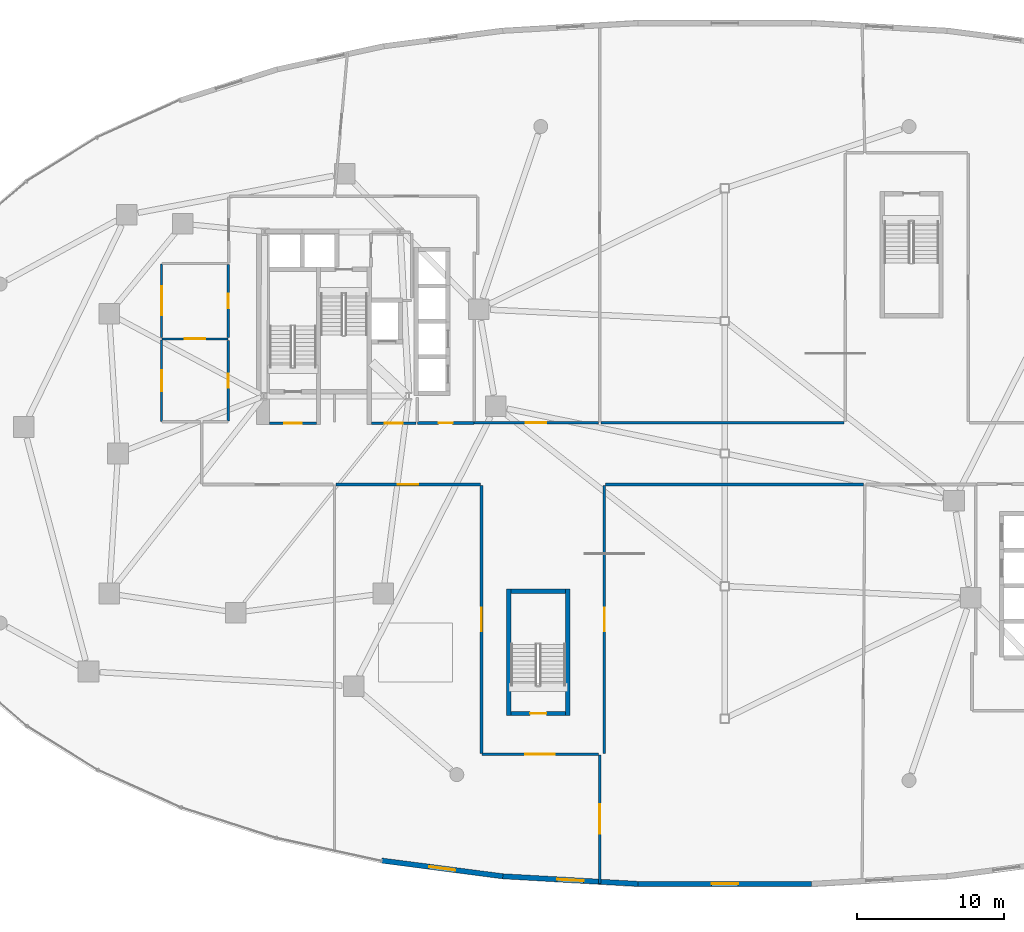
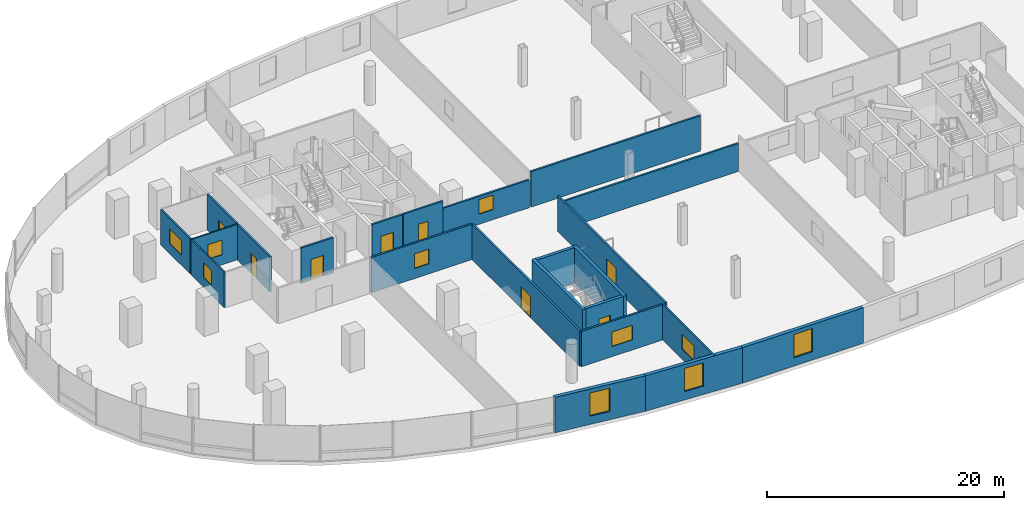
# One storey, part 12 of 18: 23 walls, 10 windows, 8 doors, 18 openings.
"""IFC4 building model written with IfcOpenShell, lengths in metres."""

from ifc_helpers import new_model, si_unit, direction, frame, frame_2d, origin, place, context, subcontext, project, spatial, rectangle, extrude, material, layer, layer_set, type_object, element, fill, save


model = new_model("IFC4")

# Units and contexts
model_context = context("Model", 3, precision=1e-05, world=origin(), true_north=direction((0.0, 1.0)))
body_context = subcontext(model_context, "Body", "Model", "MODEL_VIEW")
ifc_project = project(units=[si_unit("LENGTHUNIT", "METRE"), si_unit("AREAUNIT", "SQUARE_METRE"), si_unit("VOLUMEUNIT", "CUBIC_METRE"), si_unit("PLANEANGLEUNIT", "RADIAN"), si_unit("MASSUNIT", "GRAM", prefix="KILO"), si_unit("THERMODYNAMICTEMPERATUREUNIT", "KELVIN"), si_unit("POWERUNIT", "WATT")], contexts=[model_context])

# Site, building, storey
site_placement = place(None, origin())
site = spatial("IfcSite", under=ifc_project, at=site_placement, CompositionType="ELEMENT")
building_placement = place(site_placement, origin())
building = spatial("IfcBuilding", under=site, at=building_placement, Name="Cundina Bronze Exchange", CompositionType="ELEMENT")
storey_placement = place(building_placement, frame((0.0, 0.0, 12.0)))
storey = spatial("IfcBuildingStorey", under=building, at=storey_placement, Name="L02", CompositionType="ELEMENT", Elevation=12.0)

# Wall, opening, door
ifc_material_1 = material(Name="Gypsum Fireboard Partition EI120")
ifc_layer_1 = layer(ifc_material_1, 0.179931640625, Name="Gypsum Fireboard Partition EI120")
ifc_layer_set_1 = layer_set([ifc_layer_1], Name="Gypsum Fireboard Partition EI120")
wall_type_1 = type_object("IfcWallType", Name="WL-COR-180", PredefinedType="PARTITIONING", material=ifc_layer_set_1)
wall_1_placement = place(storey_placement, frame((-23.97998046875, 2.06005859375, 0.0), z_axis=(0.0, 0.0, 1.0), x_axis=(1.0, 0.0, 0.0)))
wall_1 = element("IfcWall", 1, at=wall_1_placement, inside=storey, type_object=wall_type_1, Name="L02 W Firefighting Lobby Exit Wall", PredefinedType="PARTITIONING", context=body_context, shape_type="SweptSolid", body=[
    extrude(rectangle(XDim=3.0, YDim=0.179931640625, at=frame_2d((1.5, 0.0))), origin(), (0.0, 0.0, 1.0), 3.64990234375),
])
opening_1_placement = place(wall_1_placement, frame((0.89990234375, 0.0, 0.0)))
opening_1 = element("IfcOpeningElement", 2, at=opening_1_placement, cuts=wall_1, Name="Opening DF-01", PredefinedType="OPENING", context=body_context, shape_type="SweptSolid", body=[
    extrude(rectangle(XDim=1.199951171875, YDim=2.14990234375, at=frame_2d((0.60009765625, 1.074951171875))), frame((0.0, 0.099853515625, 0.0), z_axis=(0.0, -1.0, 0.0), x_axis=(1.0, 0.0, 0.0)), (0.0, 0.0, 1.0), 0.199951171875),
])
ifc_material_2 = material(Name="Steel ASTM A36 Painted", Category="steel")
door_type_1 = type_object("IfcDoorType", Name="DR-FFL-1200", OperationType="NOTDEFINED", PredefinedType="DOOR", material=ifc_material_2)
door_1_placement = place(opening_1_placement, origin())
door_1 = element("IfcDoor", 3, at=door_1_placement, inside=storey, type_object=door_type_1, Name="L02 W Firefighting Lobby Door", OperationType="SINGLE_SWING_RIGHT", OverallHeight=2.14990234375, OverallWidth=1.199951171875, PredefinedType="DOOR", context=body_context, shape_type="SweptSolid", body=[
    extrude(rectangle(XDim=1.199951171875, YDim=2.14990234375, at=frame_2d((0.60009765625, 1.074951171875))), frame((0.0, 0.02490234375, 0.0), z_axis=(0.0, -1.0, 0.0), x_axis=(1.0, 0.0, 0.0)), (0.0, 0.0, 1.0), 0.050048828125),
])
fill(opening_1, door_1)

wall_2_placement = place(storey_placement, frame((-30.89990234375, 2.06005859375, 0.0), z_axis=(0.0, 0.0, 1.0), x_axis=(1.0, 0.0, 0.0)))
wall_2 = element("IfcWall", 4, at=wall_2_placement, inside=storey, type_object=wall_type_1, Name="L02 W Stair Vestibule Exit Wall", PredefinedType="PARTITIONING", context=body_context, shape_type="SweptSolid", body=[
    extrude(rectangle(XDim=3.159912109375, YDim=0.179931640625, at=frame_2d((1.580078125, 0.0))), origin(), (0.0, 0.0, 1.0), 3.64990234375),
])
opening_2_placement = place(wall_2_placement, frame((0.97998046875, 0.0, 0.0)))
opening_2 = element("IfcOpeningElement", 5, at=opening_2_placement, cuts=wall_2, Name="Opening DF-01", PredefinedType="OPENING", context=body_context, shape_type="SweptSolid", body=[
    extrude(rectangle(XDim=1.199951171875, YDim=2.14990234375, at=frame_2d((0.60009765625, 1.074951171875))), frame((0.0, 0.099853515625, 0.0), z_axis=(0.0, -1.0, 0.0), x_axis=(1.0, 0.0, 0.0)), (0.0, 0.0, 1.0), 0.199951171875),
])
door_2_placement = place(opening_2_placement, origin())
door_2 = element("IfcDoor", 6, at=door_2_placement, inside=storey, type_object=door_type_1, Name="L02 W Stair Vestibule Door", OperationType="SINGLE_SWING_LEFT", OverallHeight=2.14990234375, OverallWidth=1.199951171875, PredefinedType="DOOR", context=body_context, shape_type="SweptSolid", body=[
    extrude(rectangle(XDim=1.199951171875, YDim=2.14990234375, at=frame_2d((0.60009765625, 1.074951171875))), frame((0.0, 0.02490234375, 0.0), z_axis=(0.0, -1.0, 0.0), x_axis=(1.0, 0.0, 0.0)), (0.0, 0.0, 1.0), 0.050048828125),
])
fill(opening_2, door_2)

wall_3_placement = place(storey_placement, frame((-20.8701171875, 2.070068359375, 0.0), z_axis=(0.0, 0.0, 1.0), x_axis=(1.0, 0.0, 0.0)))
wall_3 = element("IfcWall", 7, at=wall_3_placement, inside=storey, type_object=wall_type_1, Name="L02 Interior Partition 002", PredefinedType="PARTITIONING", context=body_context, shape_type="SweptSolid", body=[
    extrude(rectangle(XDim=3.830078125, YDim=0.179931640625, at=frame_2d((1.9150390625, 0.0))), origin(), (0.0, 0.0, 1.0), 3.64990234375),
])
opening_3_placement = place(wall_3_placement, frame((1.43994140625, 0.0, 0.0)))
opening_3 = element("IfcOpeningElement", 8, at=opening_3_placement, cuts=wall_3, Name="Opening DW-01", PredefinedType="OPENING", context=body_context, shape_type="SweptSolid", body=[
    extrude(rectangle(XDim=0.949951171875, YDim=2.10009765625, at=frame_2d((0.47509765625, 1.050048828125))), frame((0.0, 0.099853515625, 0.0), z_axis=(0.0, -1.0, 0.0), x_axis=(1.0, 0.0, 0.0)), (0.0, 0.0, 1.0), 0.199951171875),
])
ifc_material_3 = material(Name="Solid Andean Oak Timber Grade A", Category="wood")
door_type_2 = type_object("IfcDoorType", Name="DR-WC-950", OperationType="NOTDEFINED", PredefinedType="DOOR", material=ifc_material_3)
door_3_placement = place(opening_3_placement, origin())
door_3 = element("IfcDoor", 9, at=door_3_placement, inside=storey, type_object=door_type_2, Name="L02 Interior Door 002", OperationType="SINGLE_SWING_LEFT", OverallHeight=2.10009765625, OverallWidth=0.949951171875, PredefinedType="DOOR", context=body_context, shape_type="SweptSolid", body=[
    extrude(rectangle(XDim=0.949951171875, YDim=2.10009765625, at=frame_2d((0.47509765625, 1.050048828125))), frame((0.0, 0.02490234375, 0.0), z_axis=(0.0, -1.0, 0.0), x_axis=(1.0, 0.0, 0.0)), (0.0, 0.0, 1.0), 0.050048828125),
])
fill(opening_3, door_3)

wall_4_placement = place(storey_placement, frame((-33.719970703125, 2.219970703125, 0.0), z_axis=(0.0, 0.0, 1.0), x_axis=(0.0, 1.0, 0.0)))
wall_4 = element("IfcWall", 10, at=wall_4_placement, inside=storey, type_object=wall_type_1, Name="L02 Interior Partition 019", PredefinedType="PARTITIONING", context=body_context, shape_type="SweptSolid", body=[
    extrude(rectangle(XDim=5.4599609375, YDim=0.179931640625, at=frame_2d((2.72998046875, 0.0))), origin(), (0.0, 0.0, 1.0), 3.64990234375),
])
opening_4_placement = place(wall_4_placement, frame((2.2548828125, 0.0, 0.0)))
opening_4 = element("IfcOpeningElement", 11, at=opening_4_placement, cuts=wall_4, Name="Opening DW-01", PredefinedType="OPENING", context=body_context, shape_type="SweptSolid", body=[
    extrude(rectangle(XDim=0.949951171875, YDim=2.10009765625, at=frame_2d((0.47509765625, 1.050048828125))), frame((0.0, 0.099853515625, 0.0), z_axis=(0.0, -1.0, 0.0), x_axis=(1.0, 0.0, 0.0)), (0.0, 0.0, 1.0), 0.199951171875),
])
door_4_placement = place(opening_4_placement, origin())
door_4 = element("IfcDoor", 12, at=door_4_placement, inside=storey, type_object=door_type_2, Name="L02 Interior Door 019", OperationType="SINGLE_SWING_LEFT", OverallHeight=2.10009765625, OverallWidth=0.949951171875, PredefinedType="DOOR", context=body_context, shape_type="SweptSolid", body=[
    extrude(rectangle(XDim=0.949951171875, YDim=2.10009765625, at=frame_2d((0.47509765625, 1.050048828125))), frame((0.0, 0.02490234375, 0.0), z_axis=(0.0, -1.0, 0.0), x_axis=(1.0, 0.0, 0.0)), (0.0, 0.0, 1.0), 0.050048828125),
])
fill(opening_4, door_4)

wall_5_placement = place(storey_placement, frame((-33.719970703125, 7.8798828125, 0.0), z_axis=(0.0, 0.0, 1.0), x_axis=(0.0, 1.0, 0.0)))
wall_5 = element("IfcWall", 13, at=wall_5_placement, inside=storey, type_object=wall_type_1, Name="L02 Interior Partition 020", PredefinedType="PARTITIONING", context=body_context, shape_type="SweptSolid", body=[
    extrude(rectangle(XDim=4.960205078125, YDim=0.179931640625, at=frame_2d((2.47998046875, 0.0))), origin(), (0.0, 0.0, 1.0), 3.64990234375),
])
opening_5_placement = place(wall_5_placement, frame((1.97998046875, 0.0, 0.0)))
opening_5 = element("IfcOpeningElement", 14, at=opening_5_placement, cuts=wall_5, Name="Opening DO-01", PredefinedType="OPENING", context=body_context, shape_type="SweptSolid", body=[
    extrude(rectangle(XDim=1.0, YDim=2.14990234375, at=frame_2d((0.5, 1.074951171875))), frame((0.0, 0.099853515625, 0.0), z_axis=(0.0, -1.0, 0.0), x_axis=(1.0, 0.0, 0.0)), (0.0, 0.0, 1.0), 0.199951171875),
])
door_type_3 = type_object("IfcDoorType", Name="DR-OFF-1000", OperationType="NOTDEFINED", PredefinedType="DOOR", material=ifc_material_3)
door_5_placement = place(opening_5_placement, origin())
door_5 = element("IfcDoor", 15, at=door_5_placement, inside=storey, type_object=door_type_3, Name="L02 Interior Door 020", OperationType="SINGLE_SWING_RIGHT", OverallHeight=2.14990234375, OverallWidth=1.0, PredefinedType="DOOR", context=body_context, shape_type="SweptSolid", body=[
    extrude(rectangle(XDim=1.0, YDim=2.14990234375, at=frame_2d((0.5, 1.074951171875))), frame((0.0, 0.02490234375, 0.0), z_axis=(0.0, -1.0, 0.0), x_axis=(1.0, 0.0, 0.0)), (0.0, 0.0, 1.0), 0.050048828125),
])
fill(opening_5, door_5)

wall_6_placement = place(storey_placement, frame((-16.52001953125, -2.179931640625, 0.0), z_axis=(0.0, 0.0, 1.0), x_axis=(0.0, -1.0, 0.0)))
wall_6 = element("IfcWall", 16, at=wall_6_placement, inside=storey, type_object=wall_type_1, Name="L02 Interior Partition 034", PredefinedType="PARTITIONING", context=body_context, shape_type="SweptSolid", body=[
    extrude(rectangle(XDim=18.198486328125, YDim=0.179931640625, at=frame_2d((9.09912109375, 0.0))), origin(), (0.0, 0.0, 1.0), 3.64990234375),
])
opening_6_placement = place(wall_6_placement, frame((8.29931640625, 0.0, 0.0)))
opening_6 = element("IfcOpeningElement", 17, at=opening_6_placement, cuts=wall_6, Name="Opening DO-02", PredefinedType="OPENING", context=body_context, shape_type="SweptSolid", body=[
    extrude(rectangle(XDim=1.60009765625, YDim=2.199951171875, at=frame_2d((0.800048828125, 1.10009765625))), frame((0.0, 0.099853515625, 0.0), z_axis=(0.0, -1.0, 0.0), x_axis=(1.0, 0.0, 0.0)), (0.0, 0.0, 1.0), 0.199951171875),
])
door_type_4 = type_object("IfcDoorType", Name="DR-TRD-1600", OperationType="NOTDEFINED", PredefinedType="DOOR", material=ifc_material_3)
door_6_placement = place(opening_6_placement, origin())
door_6 = element("IfcDoor", 18, at=door_6_placement, inside=storey, type_object=door_type_4, Name="L02 Interior Door 034", OperationType="SINGLE_SWING_LEFT", OverallHeight=2.199951171875, OverallWidth=1.60009765625, PredefinedType="DOOR", context=body_context, shape_type="SweptSolid", body=[
    extrude(rectangle(XDim=1.60009765625, YDim=2.199951171875, at=frame_2d((0.800048828125, 1.10009765625))), frame((0.0, 0.02490234375, 0.0), z_axis=(0.0, -1.0, 0.0), x_axis=(1.0, 0.0, 0.0)), (0.0, 0.0, 1.0), 0.050048828125),
])
fill(opening_6, door_6)

# Wall, opening, window
wall_7_placement = place(storey_placement, frame((-26.405029296875, -2.10009765625, 0.0), z_axis=(0.0, 0.0, 1.0), x_axis=(1.0, 0.0, 0.0)))
wall_7 = element("IfcWall", 19, at=wall_7_placement, inside=storey, type_object=wall_type_1, Name="L02 Interior Partition 035", PredefinedType="PARTITIONING", context=body_context, shape_type="SweptSolid", body=[
    extrude(rectangle(XDim=9.804931640625, YDim=0.179931640625, at=frame_2d((4.90234375, 0.0))), origin(), (0.0, 0.0, 1.0), 3.64990234375),
])
opening_7_placement = place(wall_7_placement, frame((4.201904296875, 0.0, 1.050048828125)))
opening_7 = element("IfcOpeningElement", 20, at=opening_7_placement, cuts=wall_7, Name="Opening WI-02", PredefinedType="OPENING", context=body_context, shape_type="SweptSolid", body=[
    extrude(rectangle(XDim=1.39990234375, YDim=1.5, at=frame_2d((0.699951171875, 0.75))), frame((0.0, 0.099853515625, 0.0), z_axis=(0.0, -1.0, 0.0), x_axis=(1.0, 0.0, 0.0)), (0.0, 0.0, 1.0), 0.199951171875),
])
ifc_material_4 = material(Name="Clear Low-E Insulating Glass 26mm", Category="glass")
window_type_1 = type_object("IfcWindowType", Name="WN-INT-1400", PartitioningType="SINGLE_PANEL", PredefinedType="WINDOW", material=ifc_material_4)
window_1_placement = place(opening_7_placement, origin())
window_1 = element("IfcWindow", 21, at=window_1_placement, inside=storey, type_object=window_type_1, Name="L02 Interior Acoustic Vision Window 035", OverallHeight=1.5, OverallWidth=1.39990234375, PartitioningType="SINGLE_PANEL", PredefinedType="WINDOW", context=body_context, shape_type="SweptSolid", body=[
    extrude(rectangle(XDim=1.39990234375, YDim=1.5, at=frame_2d((0.699951171875, 0.75))), frame((0.0, 0.030029296875, 0.0), z_axis=(0.0, -1.0, 0.0), x_axis=(1.0, 0.0, 0.0)), (0.0, 0.0, 1.0), 0.06005859375),
])
fill(opening_7, window_1)

wall_8_placement = place(storey_placement, frame((-16.478515625, -20.419921875, 0.0), z_axis=(0.0, 0.0, 1.0), x_axis=(1.0, 0.0, 0.0)))
wall_8 = element("IfcWall", 22, at=wall_8_placement, inside=storey, type_object=wall_type_1, Name="L02 Interior Partition 036", PredefinedType="PARTITIONING", context=body_context, shape_type="SweptSolid", body=[
    extrude(rectangle(XDim=7.883544921875, YDim=0.179931640625, at=frame_2d((3.94189453125, 0.0))), origin(), (0.0, 0.0, 1.0), 3.64990234375),
])
opening_8_placement = place(wall_8_placement, frame((2.94189453125, 0.0, 1.050048828125)))
opening_8 = element("IfcOpeningElement", 23, at=opening_8_placement, cuts=wall_8, Name="Opening WI-01", PredefinedType="OPENING", context=body_context, shape_type="SweptSolid", body=[
    extrude(rectangle(XDim=2.0, YDim=1.5, at=frame_2d((1.0, 0.75))), frame((0.0, 0.099853515625, 0.0), z_axis=(0.0, -1.0, 0.0), x_axis=(1.0, 0.0, 0.0)), (0.0, 0.0, 1.0), 0.199951171875),
])
window_type_2 = type_object("IfcWindowType", Name="WN-INT-2000", PartitioningType="SINGLE_PANEL", PredefinedType="WINDOW", material=ifc_material_4)
window_2_placement = place(opening_8_placement, origin())
window_2 = element("IfcWindow", 24, at=window_2_placement, inside=storey, type_object=window_type_2, Name="L02 Interior Acoustic Vision Window 036", OverallHeight=1.5, OverallWidth=2.0, PartitioningType="SINGLE_PANEL", PredefinedType="WINDOW", context=body_context, shape_type="SweptSolid", body=[
    extrude(rectangle(XDim=2.0, YDim=1.5, at=frame_2d((1.0, 0.75))), frame((0.0, 0.030029296875, 0.0), z_axis=(0.0, -1.0, 0.0), x_axis=(1.0, 0.0, 0.0)), (0.0, 0.0, 1.0), 0.06005859375),
])
fill(opening_8, window_2)

# Wall, opening, door
wall_9_placement = place(storey_placement, frame((-8.179931640625, -20.37841796875, 0.0), z_axis=(0.0, 0.0, 1.0), x_axis=(0.0, 1.0, 0.0)))
wall_9 = element("IfcWall", 25, at=wall_9_placement, inside=storey, type_object=wall_type_1, Name="L02 Interior Partition 037", PredefinedType="PARTITIONING", context=body_context, shape_type="SweptSolid", body=[
    extrude(rectangle(XDim=18.198486328125, YDim=0.179931640625, at=frame_2d((9.09912109375, 0.0))), origin(), (0.0, 0.0, 1.0), 3.64990234375),
])
opening_9_placement = place(wall_9_placement, frame((8.29931640625, 0.0, 0.0)))
opening_9 = element("IfcOpeningElement", 26, at=opening_9_placement, cuts=wall_9, Name="Opening DO-02", PredefinedType="OPENING", context=body_context, shape_type="SweptSolid", body=[
    extrude(rectangle(XDim=1.60009765625, YDim=2.199951171875, at=frame_2d((0.800048828125, 1.10009765625))), frame((0.0, 0.099853515625, 0.0), z_axis=(0.0, -1.0, 0.0), x_axis=(1.0, 0.0, 0.0)), (0.0, 0.0, 1.0), 0.199951171875),
])
door_7_placement = place(opening_9_placement, origin())
door_7 = element("IfcDoor", 27, at=door_7_placement, inside=storey, type_object=door_type_4, Name="L02 Interior Door 037", OperationType="SINGLE_SWING_RIGHT", OverallHeight=2.199951171875, OverallWidth=1.60009765625, PredefinedType="DOOR", context=body_context, shape_type="SweptSolid", body=[
    extrude(rectangle(XDim=1.60009765625, YDim=2.199951171875, at=frame_2d((0.800048828125, 1.10009765625))), frame((0.0, 0.02490234375, 0.0), z_axis=(0.0, -1.0, 0.0), x_axis=(1.0, 0.0, 0.0)), (0.0, 0.0, 1.0), 0.050048828125),
])
fill(opening_9, door_7)

# Walls
wall_10_placement = place(storey_placement, frame((-8.10009765625, -2.10009765625, 0.0), z_axis=(0.0, 0.0, 1.0), x_axis=(1.0, 0.0, 0.0)))
element("IfcWall", 28, at=wall_10_placement, inside=storey, type_object=wall_type_1, Name="L02 Interior Partition 038", PredefinedType="PARTITIONING", context=body_context, shape_type="SweptSolid", body=[
    extrude(rectangle(XDim=17.505126953125, YDim=0.179931640625, at=frame_2d((8.75244140625, 0.0))), origin(), (0.0, 0.0, 1.0), 2.876953125),
])
wall_11_placement = place(storey_placement, frame((8.10009765625, 2.10009765625, 0.0), z_axis=(0.0, 0.0, 1.0), x_axis=(-1.0, 0.0, 0.0)))
element("IfcWall", 29, at=wall_11_placement, inside=storey, type_object=wall_type_1, Name="L02 Interior Partition 049", PredefinedType="PARTITIONING", context=body_context, shape_type="SweptSolid", body=[
    extrude(rectangle(XDim=16.505126953125, YDim=0.179931640625, at=frame_2d((8.25244140625, 0.0))), origin(), (0.0, 0.0, 1.0), 3.64990234375),
])

# Wall, opening, window
wall_12_placement = place(storey_placement, frame((-8.594970703125, 2.10009765625, 0.0), z_axis=(0.0, 0.0, 1.0), x_axis=(-1.0, 0.0, 0.0)))
wall_12 = element("IfcWall", 30, at=wall_12_placement, inside=storey, type_object=wall_type_1, Name="L02 Interior Partition 055", PredefinedType="PARTITIONING", context=body_context, shape_type="SweptSolid", body=[
    extrude(rectangle(XDim=8.445068359375, YDim=0.179931640625, at=frame_2d((4.22265625, 0.0))), origin(), (0.0, 0.0, 1.0), 2.876953125),
])
opening_10_placement = place(wall_12_placement, frame((3.52197265625, 0.0, 1.050048828125)))
opening_10 = element("IfcOpeningElement", 31, at=opening_10_placement, cuts=wall_12, Name="Opening WI-02", PredefinedType="OPENING", context=body_context, shape_type="SweptSolid", body=[
    extrude(rectangle(XDim=1.39990234375, YDim=1.5, at=frame_2d((0.699951171875, 0.75))), frame((0.0, 0.099853515625, 0.0), z_axis=(0.0, -1.0, 0.0), x_axis=(1.0, 0.0, 0.0)), (0.0, 0.0, 1.0), 0.199951171875),
])
window_3_placement = place(opening_10_placement, origin())
window_3 = element("IfcWindow", 32, at=window_3_placement, inside=storey, type_object=window_type_1, Name="L02 Interior Acoustic Vision Window 055", OverallHeight=1.5, OverallWidth=1.39990234375, PartitioningType="SINGLE_PANEL", PredefinedType="WINDOW", context=body_context, shape_type="SweptSolid", body=[
    extrude(rectangle(XDim=1.39990234375, YDim=1.5, at=frame_2d((0.699951171875, 0.75))), frame((0.0, 0.030029296875, 0.0), z_axis=(0.0, -1.0, 0.0), x_axis=(1.0, 0.0, 0.0)), (0.0, 0.0, 1.0), 0.06005859375),
])
fill(opening_10, window_3)

ifc_material_5 = material(Name="Concrete C40/50", Category="concrete")
ifc_layer_2 = layer(ifc_material_5, 0.35009765625, Name="Concrete C40/50", Category="concrete")
ifc_layer_set_2 = layer_set([ifc_layer_2], Name="Concrete C40/50")
wall_type_2 = type_object("IfcWallType", Name="WL-EXT-350", PredefinedType="SOLIDWALL", material=ifc_layer_set_2)
wall_13_placement = place(storey_placement, frame((-23.29345703125, -27.63232421875, 0.0), z_axis=(0.0, 0.0, 1.0), x_axis=(0.99168663472, -0.128676410104, 0.0)))
wall_13 = element("IfcWall", 33, at=wall_13_placement, inside=storey, type_object=wall_type_2, Name="L02 Podium Exterior Wall 30", PredefinedType="SOLIDWALL", context=body_context, shape_type="SweptSolid", body=[
    extrude(rectangle(XDim=8.28369140625, YDim=0.35009765625, at=frame_2d((4.141845703125, 0.0))), origin(), (0.0, 0.0, 1.0), 3.64990234375),
])
opening_11_placement = place(wall_13_placement, frame((3.241943359375, 0.0, 0.85009765625)))
opening_11 = element("IfcOpeningElement", 34, at=opening_11_placement, cuts=wall_13, Name="Opening W-02", PredefinedType="OPENING", context=body_context, shape_type="SweptSolid", body=[
    extrude(rectangle(XDim=1.800048828125, YDim=2.39990234375, at=frame_2d((0.89990234375, 1.199951171875))), frame((0.0, 0.18505859375, 0.0), z_axis=(0.0, -1.0, 0.0), x_axis=(1.0, 0.0, 0.0)), (0.0, 0.0, 1.0), 0.3701171875),
])
ifc_material_6 = material(Name="Heat-Strengthened Solar-Control Bronze Safety Glass 28mm", Category="glass")
window_type_3 = type_object("IfcWindowType", Name="WN-POD-1800", PartitioningType="SINGLE_PANEL", PredefinedType="WINDOW", material=ifc_material_6)
window_4_placement = place(opening_11_placement, origin())
window_4 = element("IfcWindow", 35, at=window_4_placement, inside=storey, type_object=window_type_3, Name="L02 Podium Punched Window 30", OverallHeight=2.39990234375, OverallWidth=1.800048828125, PartitioningType="SINGLE_PANEL", PredefinedType="WINDOW", context=body_context, shape_type="SweptSolid", body=[
    extrude(rectangle(XDim=1.800048828125, YDim=2.39990234375, at=frame_2d((0.89990234375, 1.199951171875))), frame((0.0, 0.030029296875, 0.0), z_axis=(0.0, -1.0, 0.0), x_axis=(1.0, 0.0, 0.0)), (0.0, 0.0, 1.0), 0.06005859375),
])
fill(opening_11, window_4)

wall_14_placement = place(storey_placement, frame((-15.07861328125, -28.6982421875, 0.0), z_axis=(0.0, 0.0, 1.0), x_axis=(0.998413463137, -0.056307695976, 0.0)))
wall_14 = element("IfcWall", 36, at=wall_14_placement, inside=storey, type_object=wall_type_2, Name="L02 Podium Exterior Wall 31", PredefinedType="SOLIDWALL", context=body_context, shape_type="SweptSolid", body=[
    extrude(rectangle(XDim=9.20068359375, YDim=0.35009765625, at=frame_2d((4.600341796875, 0.0))), origin(), (0.0, 0.0, 1.0), 3.64990234375),
])
opening_12_placement = place(wall_14_placement, frame((3.699951171875, 0.0, 0.85009765625)))
opening_12 = element("IfcOpeningElement", 37, at=opening_12_placement, cuts=wall_14, Name="Opening W-02", PredefinedType="OPENING", context=body_context, shape_type="SweptSolid", body=[
    extrude(rectangle(XDim=1.800048828125, YDim=2.39990234375, at=frame_2d((0.89990234375, 1.199951171875))), frame((0.0, 0.18505859375, 0.0), z_axis=(0.0, -1.0, 0.0), x_axis=(1.0, 0.0, 0.0)), (0.0, 0.0, 1.0), 0.3701171875),
])
window_5_placement = place(opening_12_placement, origin())
window_5 = element("IfcWindow", 38, at=window_5_placement, inside=storey, type_object=window_type_3, Name="L02 Podium Punched Window 31", OverallHeight=2.39990234375, OverallWidth=1.800048828125, PartitioningType="SINGLE_PANEL", PredefinedType="WINDOW", context=body_context, shape_type="SweptSolid", body=[
    extrude(rectangle(XDim=1.800048828125, YDim=2.39990234375, at=frame_2d((0.89990234375, 1.199951171875))), frame((0.0, 0.030029296875, 0.0), z_axis=(0.0, -1.0, 0.0), x_axis=(1.0, 0.0, 0.0)), (0.0, 0.0, 1.0), 0.06005859375),
])
fill(opening_12, window_5)

wall_15_placement = place(storey_placement, frame((-5.892578125, -29.21630859375, 0.0), z_axis=(0.0, 0.0, 1.0), x_axis=(1.0, 0.0, 0.0)))
wall_15 = element("IfcWall", 39, at=wall_15_placement, inside=storey, type_object=wall_type_2, Name="L02 Podium Exterior Wall 32", PredefinedType="SOLIDWALL", context=body_context, shape_type="SweptSolid", body=[
    extrude(rectangle(XDim=11.78515625, YDim=0.35009765625, at=frame_2d((5.892578125, 0.0))), origin(), (0.0, 0.0, 1.0), 3.64990234375),
])
opening_13_placement = place(wall_15_placement, frame((4.991943359375, 0.0, 0.85009765625)))
opening_13 = element("IfcOpeningElement", 40, at=opening_13_placement, cuts=wall_15, Name="Opening W-02", PredefinedType="OPENING", context=body_context, shape_type="SweptSolid", body=[
    extrude(rectangle(XDim=1.800048828125, YDim=2.39990234375, at=frame_2d((0.89990234375, 1.199951171875))), frame((0.0, 0.18505859375, 0.0), z_axis=(0.0, -1.0, 0.0), x_axis=(1.0, 0.0, 0.0)), (0.0, 0.0, 1.0), 0.3701171875),
])
window_6_placement = place(opening_13_placement, origin())
window_6 = element("IfcWindow", 41, at=window_6_placement, inside=storey, type_object=window_type_3, Name="L02 Podium Punched Window 32", OverallHeight=2.39990234375, OverallWidth=1.800048828125, PartitioningType="SINGLE_PANEL", PredefinedType="WINDOW", context=body_context, shape_type="SweptSolid", body=[
    extrude(rectangle(XDim=1.800048828125, YDim=2.39990234375, at=frame_2d((0.89990234375, 1.199951171875))), frame((0.0, 0.030029296875, 0.0), z_axis=(0.0, -1.0, 0.0), x_axis=(1.0, 0.0, 0.0)), (0.0, 0.0, 1.0), 0.06005859375),
])
fill(opening_13, window_6)

# Walls
ifc_material_7 = material(Name="Concrete C50/60", Category="concrete")
ifc_layer_3 = layer(ifc_material_7, 0.300048828125, Name="Concrete C50/60", Category="concrete")
ifc_layer_set_3 = layer_set([ifc_layer_3], Name="Concrete C50/60")
wall_type_3 = type_object("IfcWallType", Name="WL-SHFT-300", PredefinedType="SHEAR", material=ifc_layer_set_3)
for number, where, z_axis, x_axis, name in (
    (42, (-14.669921875, -17.800048828125, 0.0), (0.0, 0.0, 1.0), (0.0, 1.0, 0.0), "L02 Concourse Stair W West Shaft Wall"),
    (43, (-10.669921875, -17.800048828125, 0.0), (0.0, 0.0, 1.0), (0.0, 1.0, 0.0), "L02 Concourse Stair W East Shaft Wall"),
):
    element("IfcWall", number, at=place(storey_placement, frame(where, z_axis=z_axis, x_axis=x_axis)), inside=storey, type_object=wall_type_3, Name=name, PredefinedType="SHEAR", context=body_context, shape_type="SweptSolid", body=[
        extrude(rectangle(XDim=8.60009765625, YDim=0.300048828125, at=frame_2d((4.300048828125, 0.0))), origin(), (0.0, 0.0, 1.0), 3.64990234375),
    ])

# Wall, opening, door
wall_16_placement = place(storey_placement, frame((-14.52001953125, -17.64990234375, 0.0), z_axis=(0.0, 0.0, 1.0), x_axis=(1.0, 0.0, 0.0)))
wall_16 = element("IfcWall", 44, at=wall_16_placement, inside=storey, type_object=wall_type_3, Name="L02 Concourse Stair W Landing Wall", PredefinedType="SHEAR", context=body_context, shape_type="SweptSolid", body=[
    extrude(rectangle(XDim=3.699951171875, YDim=0.300048828125, at=frame_2d((1.85009765625, 0.0))), origin(), (0.0, 0.0, 1.0), 3.64990234375),
])
opening_14_placement = place(wall_16_placement, frame((1.300048828125, 0.0, 0.0)))
opening_14 = element("IfcOpeningElement", 45, at=opening_14_placement, cuts=wall_16, Name="Opening DS-01", PredefinedType="OPENING", context=body_context, shape_type="SweptSolid", body=[
    extrude(rectangle(XDim=1.10009765625, YDim=2.14990234375, at=frame_2d((0.550048828125, 1.074951171875))), frame((0.0, 0.159912109375, 0.0), z_axis=(0.0, -1.0, 0.0), x_axis=(1.0, 0.0, 0.0)), (0.0, 0.0, 1.0), 0.320068359375),
])
door_type_5 = type_object("IfcDoorType", Name="DR-STR-1100", OperationType="NOTDEFINED", PredefinedType="DOOR", material=ifc_material_2)
door_8_placement = place(opening_14_placement, origin())
door_8 = element("IfcDoor", 46, at=door_8_placement, inside=storey, type_object=door_type_5, Name="L02 Concourse Stair W Door", OperationType="SINGLE_SWING_LEFT", OverallHeight=2.14990234375, OverallWidth=1.10009765625, PredefinedType="DOOR", context=body_context, shape_type="SweptSolid", body=[
    extrude(rectangle(XDim=1.10009765625, YDim=2.14990234375, at=frame_2d((0.550048828125, 1.074951171875))), frame((0.0, 0.02490234375, 0.0), z_axis=(0.0, -1.0, 0.0), x_axis=(1.0, 0.0, 0.0)), (0.0, 0.0, 1.0), 0.050048828125),
])
fill(opening_14, door_8)

# Wall
wall_17_placement = place(storey_placement, frame((-14.52001953125, -9.35009765625, 0.0), z_axis=(0.0, 0.0, 1.0), x_axis=(1.0, 0.0, 0.0)))
element("IfcWall", 47, at=wall_17_placement, inside=storey, type_object=wall_type_3, Name="L02 Concourse Stair W Far Shaft Wall", PredefinedType="SHEAR", context=body_context, shape_type="SweptSolid", body=[
    extrude(rectangle(XDim=3.699951171875, YDim=0.300048828125, at=frame_2d((1.85009765625, 0.0))), origin(), (0.0, 0.0, 1.0), 3.64990234375),
])

# Wall, opening, window
ifc_material_8 = material(Name="Gypsum Acoustic Partition EI60")
ifc_layer_4 = layer(ifc_material_8, 0.14990234375, Name="Gypsum Acoustic Partition EI60")
ifc_layer_set_4 = layer_set([ifc_layer_4], Name="Gypsum Acoustic Partition EI60")
wall_type_4 = type_object("IfcWallType", Name="WL-TEN-150", PredefinedType="PARTITIONING", material=ifc_layer_set_4)
wall_18_placement = place(storey_placement, frame((-8.5, -29.17236328125, 0.0), z_axis=(0.0, 0.0, 1.0), x_axis=(0.0, 1.0, 0.0)))
wall_18 = element("IfcWall", 48, at=wall_18_placement, inside=storey, type_object=wall_type_4, Name="L02 Interior Partition 024", PredefinedType="PARTITIONING", context=body_context, shape_type="SweptSolid", body=[
    extrude(rectangle(XDim=8.722412109375, YDim=0.14990234375, at=frame_2d((4.361328125, 0.0))), origin(), (0.0, 0.0, 1.0), 3.64990234375),
])
opening_15_placement = place(wall_18_placement, frame((3.361083984375, 0.0, 1.050048828125)))
opening_15 = element("IfcOpeningElement", 49, at=opening_15_placement, cuts=wall_18, Name="Opening WI-01", PredefinedType="OPENING", context=body_context, shape_type="SweptSolid", body=[
    extrude(rectangle(XDim=2.0, YDim=1.5, at=frame_2d((1.0, 0.75))), frame((0.0, 0.0849609375, 0.0), z_axis=(0.0, -1.0, 0.0), x_axis=(1.0, 0.0, 0.0)), (0.0, 0.0, 1.0), 0.169921875),
])
window_7_placement = place(opening_15_placement, origin())
window_7 = element("IfcWindow", 50, at=window_7_placement, inside=storey, type_object=window_type_2, Name="L02 Interior Acoustic Vision Window 024", OverallHeight=1.5, OverallWidth=2.0, PartitioningType="SINGLE_PANEL", PredefinedType="WINDOW", context=body_context, shape_type="SweptSolid", body=[
    extrude(rectangle(XDim=2.0, YDim=1.5, at=frame_2d((1.0, 0.75))), frame((0.0, 0.030029296875, 0.0), z_axis=(0.0, -1.0, 0.0), x_axis=(1.0, 0.0, 0.0)), (0.0, 0.0, 1.0), 0.06005859375),
])
fill(opening_15, window_7)

ifc_material_9 = material(Name="Moisture-Resistant Masonry Block Grade M15", Category="masonry")
ifc_layer_5 = layer(ifc_material_9, 0.139892578125, Name="Moisture-Resistant Masonry Block Grade M15", Category="masonry")
ifc_layer_set_5 = layer_set([ifc_layer_5], Name="Moisture-Resistant Masonry Block Grade M15")
wall_type_5 = type_object("IfcWallType", Name="WL-WET-140", PredefinedType="PARTITIONING", material=ifc_layer_set_5)
wall_19_placement = place(storey_placement, frame((-38.239990234375, 2.179931640625, 0.0), z_axis=(0.0, 0.0, 1.0), x_axis=(0.0, 1.0, 0.0)))
wall_19 = element("IfcWall", 51, at=wall_19_placement, inside=storey, type_object=wall_type_5, Name="L02 Interior Partition 013", PredefinedType="PARTITIONING", context=body_context, shape_type="SweptSolid", body=[
    extrude(rectangle(XDim=5.51513671875, YDim=0.139892578125, at=frame_2d((2.757568359375, 0.0))), origin(), (0.0, 0.0, 1.0), 3.64990234375),
])
opening_16_placement = place(wall_19_placement, frame((2.05810546875, 0.0, 1.050048828125)))
opening_16 = element("IfcOpeningElement", 52, at=opening_16_placement, cuts=wall_19, Name="Opening WI-02", PredefinedType="OPENING", context=body_context, shape_type="SweptSolid", body=[
    extrude(rectangle(XDim=1.39990234375, YDim=1.5, at=frame_2d((0.699951171875, 0.75))), frame((0.0, 0.079833984375, 0.0), z_axis=(0.0, -1.0, 0.0), x_axis=(1.0, 0.0, 0.0)), (0.0, 0.0, 1.0), 0.159912109375),
])
window_8_placement = place(opening_16_placement, origin())
window_8 = element("IfcWindow", 53, at=window_8_placement, inside=storey, type_object=window_type_1, Name="L02 Interior Acoustic Vision Window 013", OverallHeight=1.5, OverallWidth=1.39990234375, PartitioningType="SINGLE_PANEL", PredefinedType="WINDOW", context=body_context, shape_type="SweptSolid", body=[
    extrude(rectangle(XDim=1.39990234375, YDim=1.5, at=frame_2d((0.699951171875, 0.75))), frame((0.0, 0.030029296875, 0.0), z_axis=(0.0, -1.0, 0.0), x_axis=(1.0, 0.0, 0.0)), (0.0, 0.0, 1.0), 0.06005859375),
])
fill(opening_16, window_8)

wall_20_placement = place(storey_placement, frame((-38.239990234375, 7.864990234375, 0.0), z_axis=(0.0, 0.0, 1.0), x_axis=(0.0, 1.0, 0.0)))
wall_20 = element("IfcWall", 54, at=wall_20_placement, inside=storey, type_object=wall_type_5, Name="L02 Interior Partition 014", PredefinedType="PARTITIONING", context=body_context, shape_type="SweptSolid", body=[
    extrude(rectangle(XDim=5.014892578125, YDim=0.139892578125, at=frame_2d((2.50732421875, 0.0))), origin(), (0.0, 0.0, 1.0), 3.64990234375),
])
opening_17_placement = place(wall_20_placement, frame((1.508056640625, 0.0, 1.050048828125)))
opening_17 = element("IfcOpeningElement", 55, at=opening_17_placement, cuts=wall_20, Name="Opening WI-01", PredefinedType="OPENING", context=body_context, shape_type="SweptSolid", body=[
    extrude(rectangle(XDim=2.0, YDim=1.5, at=frame_2d((1.0, 0.75))), frame((0.0, 0.079833984375, 0.0), z_axis=(0.0, -1.0, 0.0), x_axis=(1.0, 0.0, 0.0)), (0.0, 0.0, 1.0), 0.159912109375),
])
window_9_placement = place(opening_17_placement, origin())
window_9 = element("IfcWindow", 56, at=window_9_placement, inside=storey, type_object=window_type_2, Name="L02 Interior Acoustic Vision Window 014", OverallHeight=1.5, OverallWidth=2.0, PartitioningType="SINGLE_PANEL", PredefinedType="WINDOW", context=body_context, shape_type="SweptSolid", body=[
    extrude(rectangle(XDim=2.0, YDim=1.5, at=frame_2d((1.0, 0.75))), frame((0.0, 0.030029296875, 0.0), z_axis=(0.0, -1.0, 0.0), x_axis=(1.0, 0.0, 0.0)), (0.0, 0.0, 1.0), 0.06005859375),
])
fill(opening_17, window_9)

wall_21_placement = place(storey_placement, frame((-38.219970703125, 7.780029296875, 0.0), z_axis=(0.0, 0.0, 1.0), x_axis=(1.0, 0.0, 0.0)))
wall_21 = element("IfcWall", 57, at=wall_21_placement, inside=storey, type_object=wall_type_5, Name="L02 Interior Partition 017", PredefinedType="PARTITIONING", context=body_context, shape_type="SweptSolid", body=[
    extrude(rectangle(XDim=4.47998046875, YDim=0.139892578125, at=frame_2d((2.239990234375, 0.0))), origin(), (0.0, 0.0, 1.0), 3.64990234375),
])
opening_18_placement = place(wall_21_placement, frame((1.5400390625, 0.0, 1.050048828125)))
opening_18 = element("IfcOpeningElement", 58, at=opening_18_placement, cuts=wall_21, Name="Opening WI-02", PredefinedType="OPENING", context=body_context, shape_type="SweptSolid", body=[
    extrude(rectangle(XDim=1.39990234375, YDim=1.5, at=frame_2d((0.699951171875, 0.75))), frame((0.0, 0.079833984375, 0.0), z_axis=(0.0, -1.0, 0.0), x_axis=(1.0, 0.0, 0.0)), (0.0, 0.0, 1.0), 0.159912109375),
])
window_10_placement = place(opening_18_placement, origin())
window_10 = element("IfcWindow", 59, at=window_10_placement, inside=storey, type_object=window_type_1, Name="L02 Interior Acoustic Vision Window 017", OverallHeight=1.5, OverallWidth=1.39990234375, PartitioningType="SINGLE_PANEL", PredefinedType="WINDOW", context=body_context, shape_type="SweptSolid", body=[
    extrude(rectangle(XDim=1.39990234375, YDim=1.5, at=frame_2d((0.699951171875, 0.75))), frame((0.0, 0.030029296875, 0.0), z_axis=(0.0, -1.0, 0.0), x_axis=(1.0, 0.0, 0.0)), (0.0, 0.0, 1.0), 0.06005859375),
])
fill(opening_18, window_10)

save(model, "model.ifc")
